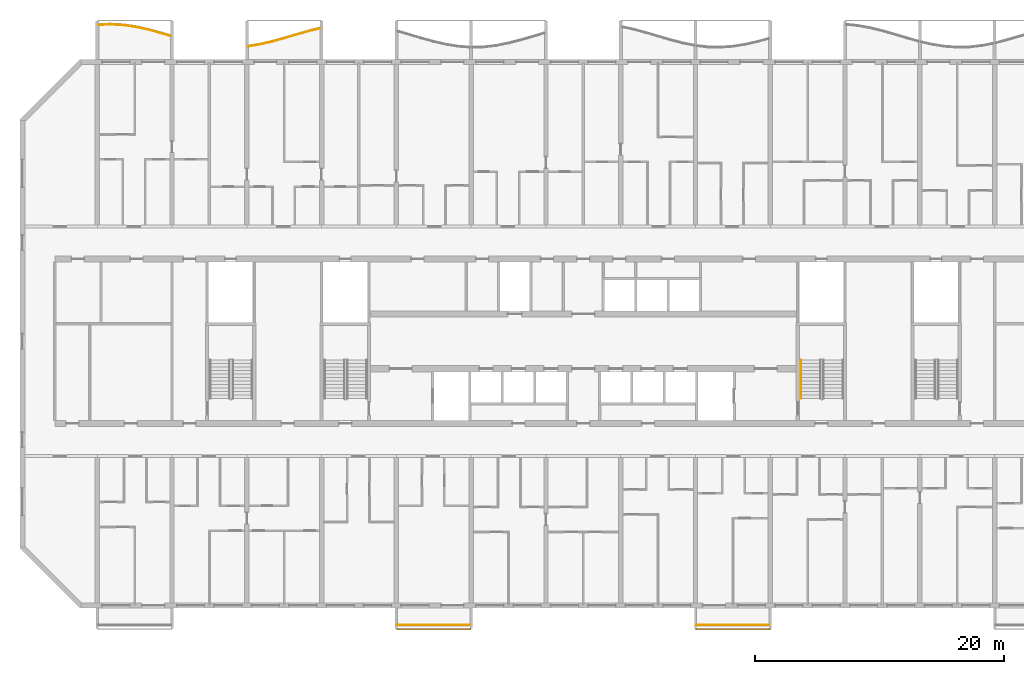
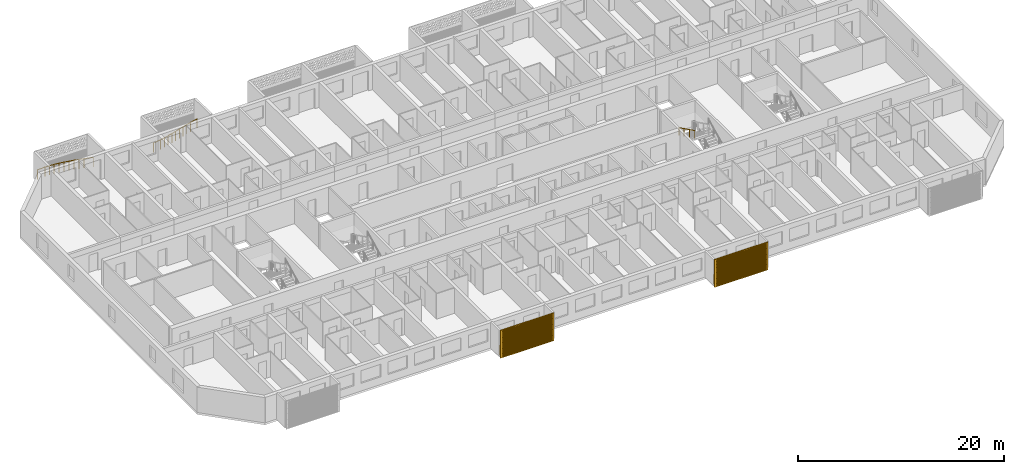
# One storey, part 17 of 24: 5 railings, 2 shading devices.
"""IFC4 building model written with IfcOpenShell, lengths in metres."""

from ifc_helpers import new_model, si_unit, direction, frame, origin, origin_2d, place, context, subcontext, project, spatial, polyline, circle, outline, extrude, source, transform, mapped, material, material_profile, profile_set, type_object, element, save


model = new_model("IFC4")

# Units and contexts
model_context = context("Model", 3, precision=1e-05, world=origin(), true_north=direction((0.0, 1.0)))
body_context = subcontext(model_context, "Body", "Model", "MODEL_VIEW")
ifc_project = project(units=[si_unit("LENGTHUNIT", "METRE"), si_unit("AREAUNIT", "SQUARE_METRE"), si_unit("VOLUMEUNIT", "CUBIC_METRE"), si_unit("PLANEANGLEUNIT", "RADIAN"), si_unit("MASSUNIT", "GRAM", prefix="KILO")], contexts=[model_context])

# Site, building, storey
site_placement = place(None, origin())
site = spatial("IfcSite", under=ifc_project, at=site_placement, CompositionType="ELEMENT")
building_placement = place(site_placement, origin())
building = spatial("IfcBuilding", under=site, at=building_placement, Name="Poui Terraces", CompositionType="ELEMENT")
storey_placement = place(building_placement, frame((0.0, 0.0, 102.60009765625)))
storey = spatial("IfcBuildingStorey", under=building, at=storey_placement, Name="L28", CompositionType="ELEMENT", Elevation=102.60009765625)

# Railings
ifc_material_1 = material(Name="Painted steel fretwork", Category="steel")
railing_type_1 = type_object("IfcRailingType", Name="BALCONY GUARD 1100", PredefinedType="GUARDRAIL", material=ifc_material_1)
railing_1_placement = place(storey_placement, frame((12.125, 46.58349609375, 0.0)))
element("IfcRailing", 1, at=railing_1_placement, inside=storey, type_object=railing_type_1, Name="BALCONY GUARD", PredefinedType="GUARDRAIL", context=body_context, shape_type="SweptSolid", body=[
    extrude(circle(Radius=0.02392578125, at=origin_2d()), frame((0.0, 0.0, 1.076171875), z_axis=(0.999125325571, 0.041816071104, 0.0), x_axis=(-0.041816071104, 0.999125325571, 0.0)), (0.0, 0.0, 1.0), 0.875732421875),
    extrude(circle(Radius=0.02392578125, at=origin_2d()), frame((0.875, 0.03662109375, 1.076171875), z_axis=(0.998868689387, -0.047553563093, 0.0), x_axis=(0.047553563093, 0.998868689387, 0.0)), (0.0, 0.0, 1.0), 1.001220703125),
    extrude(circle(Radius=0.02392578125, at=origin_2d()), frame((1.875, -0.010986328125, 1.076171875), z_axis=(0.990620000385, -0.136645581108, 0.0), x_axis=(0.136645581108, 0.990620000385, 0.0)), (0.0, 0.0, 1.0), 1.009521484375),
    extrude(circle(Radius=0.02392578125, at=origin_2d()), frame((2.875, -0.14892578125, 1.076171875), z_axis=(0.977837336556, -0.20936605082, 0.0), x_axis=(0.20936605082, 0.977837336556, 0.0)), (0.0, 0.0, 1.0), 1.022705078125),
    extrude(circle(Radius=0.02392578125, at=origin_2d()), frame((3.875, -0.363037109375, 1.076171875), z_axis=(0.965897516379, -0.258924676022, 0.0), x_axis=(0.258924676022, 0.965897516379, 0.0)), (0.0, 0.0, 1.0), 1.035400390625),
    extrude(circle(Radius=0.02392578125, at=origin_2d()), frame((4.875, -0.631103515625, 1.076171875), z_axis=(0.959374026053, -0.282137339135, 0.0), x_axis=(0.282137339135, 0.959374026053, 0.0)), (0.0, 0.0, 1.0), 0.912109375),
    extrude(circle(Radius=0.02099609375, at=origin_2d()), origin(), (0.0, 0.0, 1.0), 1.052001953125),
    extrude(circle(Radius=0.02099609375, at=origin_2d()), frame((0.875, 0.03662109375, 0.0)), (0.0, 0.0, 1.0), 1.052001953125),
    extrude(circle(Radius=0.02099609375, at=origin_2d()), frame((1.375, 0.0126953125, 0.0)), (0.0, 0.0, 1.0), 1.052001953125),
    extrude(circle(Radius=0.02099609375, at=origin_2d()), frame((1.875, -0.010986328125, 0.0)), (0.0, 0.0, 1.0), 1.052001953125),
    extrude(circle(Radius=0.02099609375, at=origin_2d()), frame((2.375, -0.080078125, 0.0)), (0.0, 0.0, 1.0), 1.052001953125),
    extrude(circle(Radius=0.02099609375, at=origin_2d()), frame((2.875, -0.14892578125, 0.0)), (0.0, 0.0, 1.0), 1.052001953125),
    extrude(circle(Radius=0.02099609375, at=origin_2d()), frame((3.375, -0.255859375, 0.0)), (0.0, 0.0, 1.0), 1.052001953125),
    extrude(circle(Radius=0.02099609375, at=origin_2d()), frame((3.875, -0.363037109375, 0.0)), (0.0, 0.0, 1.0), 1.052001953125),
    extrude(circle(Radius=0.02099609375, at=origin_2d()), frame((4.375, -0.4970703125, 0.0)), (0.0, 0.0, 1.0), 1.052001953125),
    extrude(circle(Radius=0.02099609375, at=origin_2d()), frame((4.875, -0.631103515625, 0.0)), (0.0, 0.0, 1.0), 1.052001953125),
    extrude(circle(Radius=0.02099609375, at=origin_2d()), frame((5.75, -0.888427734375, 0.0)), (0.0, 0.0, 1.0), 1.052001953125),
])
railing_2_placement = place(storey_placement, frame((24.125, 44.859375, 0.0)))
element("IfcRailing", 2, at=railing_2_placement, inside=storey, type_object=railing_type_1, Name="BALCONY GUARD", PredefinedType="GUARDRAIL", context=body_context, shape_type="SweptSolid", body=[
    extrude(circle(Radius=0.02392578125, at=origin_2d()), frame((0.0, 0.0, 1.076171875), z_axis=(0.986851434927, 0.16162996437, 0.0), x_axis=(-0.16162996437, 0.986851434927, 0.0)), (0.0, 0.0, 1.0), 0.88671875),
    extrude(circle(Radius=0.02392578125, at=origin_2d()), frame((0.875, 0.143310546875, 1.076171875), z_axis=(0.974611291341, 0.223903619422, 0.0), x_axis=(-0.223903619422, 0.974611291341, 0.0)), (0.0, 0.0, 1.0), 1.026123046875),
    extrude(circle(Radius=0.02392578125, at=origin_2d()), frame((1.875, 0.373046875, 1.076171875), z_axis=(0.963565078544, 0.267473997633, 0.0), x_axis=(-0.267473997633, 0.963565078544, 0.0)), (0.0, 0.0, 1.0), 1.037841796875),
    extrude(circle(Radius=0.02392578125, at=origin_2d()), frame((2.875, 0.650634765625, 1.076171875), z_axis=(0.958774495191, 0.284168026651, 0.0), x_axis=(-0.284168026651, 0.958774495191, 0.0)), (0.0, 0.0, 1.0), 1.04296875),
    extrude(circle(Radius=0.02392578125, at=origin_2d()), frame((3.875, 0.947021484375, 1.076171875), z_axis=(0.961665574586, 0.274224949003, 0.0), x_axis=(-0.274224949003, 0.961665574586, 0.0)), (0.0, 0.0, 1.0), 1.039794921875),
    extrude(circle(Radius=0.02392578125, at=origin_2d()), frame((4.875, 1.232177734375, 1.076171875), z_axis=(0.970650152273, 0.240495908264, 0.0), x_axis=(-0.240495908264, 0.970650152273, 0.0)), (0.0, 0.0, 1.0), 0.9013671875),
    extrude(circle(Radius=0.02099609375, at=origin_2d()), origin(), (0.0, 0.0, 1.0), 1.052001953125),
    extrude(circle(Radius=0.02099609375, at=origin_2d()), frame((0.875, 0.143310546875, 0.0)), (0.0, 0.0, 1.0), 1.052001953125),
    extrude(circle(Radius=0.02099609375, at=origin_2d()), frame((1.375, 0.25830078125, 0.0)), (0.0, 0.0, 1.0), 1.052001953125),
    extrude(circle(Radius=0.02099609375, at=origin_2d()), frame((1.875, 0.373046875, 0.0)), (0.0, 0.0, 1.0), 1.052001953125),
    extrude(circle(Radius=0.02099609375, at=origin_2d()), frame((2.375, 0.51171875, 0.0)), (0.0, 0.0, 1.0), 1.052001953125),
    extrude(circle(Radius=0.02099609375, at=origin_2d()), frame((2.875, 0.650634765625, 0.0)), (0.0, 0.0, 1.0), 1.052001953125),
    extrude(circle(Radius=0.02099609375, at=origin_2d()), frame((3.375, 0.798828125, 0.0)), (0.0, 0.0, 1.0), 1.052001953125),
    extrude(circle(Radius=0.02099609375, at=origin_2d()), frame((3.875, 0.947021484375, 0.0)), (0.0, 0.0, 1.0), 1.052001953125),
    extrude(circle(Radius=0.02099609375, at=origin_2d()), frame((4.375, 1.089599609375, 0.0)), (0.0, 0.0, 1.0), 1.052001953125),
    extrude(circle(Radius=0.02099609375, at=origin_2d()), frame((4.875, 1.232177734375, 0.0)), (0.0, 0.0, 1.0), 1.052001953125),
    extrude(circle(Radius=0.02099609375, at=origin_2d()), frame((5.75, 1.448974609375, 0.0)), (0.0, 0.0, 1.0), 1.052001953125),
])
for number, where, name in (
    (3, (36.10009765625, -1.570068359375, 0.0), "BALCONY GUARD"),
    (4, (60.10009765625, -1.570068359375, 0.0), "BALCONY GUARD"),
):
    element("IfcRailing", number, at=place(storey_placement, frame(where)), inside=storey, type_object=railing_type_1, Name=name, PredefinedType="GUARDRAIL", context=body_context, shape_type="SweptSolid", body=[
        extrude(circle(Radius=0.02392578125, at=origin_2d()), frame((0.0, 0.0, 1.076171875), z_axis=(1.0, 0.0, 0.0), x_axis=(0.0, 1.0, 0.0)), (0.0, 0.0, 1.0), 5.7998046875),
        extrude(circle(Radius=0.02099609375, at=origin_2d()), origin(), (0.0, 0.0, 1.0), 1.052001953125),
        extrude(circle(Radius=0.02099609375, at=origin_2d()), frame((0.966552734375, 0.0, 0.0)), (0.0, 0.0, 1.0), 1.052001953125),
        extrude(circle(Radius=0.02099609375, at=origin_2d()), frame((1.933349609375, 0.0, 0.0)), (0.0, 0.0, 1.0), 1.052001953125),
        extrude(circle(Radius=0.02099609375, at=origin_2d()), frame((2.89990234375, 0.0, 0.0)), (0.0, 0.0, 1.0), 1.052001953125),
        extrude(circle(Radius=0.02099609375, at=origin_2d()), frame((3.866455078125, 0.0, 0.0)), (0.0, 0.0, 1.0), 1.052001953125),
        extrude(circle(Radius=0.02099609375, at=origin_2d()), frame((4.833251953125, 0.0, 0.0)), (0.0, 0.0, 1.0), 1.052001953125),
        extrude(circle(Radius=0.02099609375, at=origin_2d()), frame((5.7998046875, 0.0, 0.0)), (0.0, 0.0, 1.0), 1.052001953125),
    ])
ifc_material_2 = material(Name="Stainless steel handrail", Category="steel")
railing_type_2 = type_object("IfcRailingType", Name="STAIR HANDRAIL 900", PredefinedType="HANDRAIL", material=ifc_material_2)
railing_3_placement = place(storey_placement, frame((68.47509765625, 19.679931640625, 1.787353515625)))
element("IfcRailing", 5, at=railing_3_placement, inside=storey, type_object=railing_type_2, Name="L28 ST-CE stair handrail 2", PredefinedType="HANDRAIL", context=body_context, shape_type="SweptSolid", body=[
    extrude(circle(Radius=0.02392578125, at=origin_2d()), frame((0.0, 0.0, 0.8759765625), z_axis=(0.0, -0.897606190399, 0.440798283751), x_axis=(1.0, 0.0, 0.0)), (0.0, 0.0, 1.0), 3.43115234375),
    extrude(circle(Radius=0.02099609375, at=origin_2d()), origin(), (0.0, 0.0, 1.0), 0.851806640625),
    extrude(circle(Radius=0.02099609375, at=origin_2d()), frame((0.0, -1.026611328125, 0.504150390625)), (0.0, 0.0, 1.0), 0.851806640625),
    extrude(circle(Radius=0.02099609375, at=origin_2d()), frame((0.0, -2.05322265625, 1.00830078125)), (0.0, 0.0, 1.0), 0.851806640625),
    extrude(circle(Radius=0.02099609375, at=origin_2d()), frame((0.0, -3.079833984375, 1.512451171875)), (0.0, 0.0, 1.0), 0.851806640625),
])

# Shading devices
ifc_material_3 = material(Name="Aluminium louvre", Category="aluminium")
ifc_material_profile = material_profile(ifc_material_3, outline(polyline([(-3.0, -1.64990234375), (3.0, -1.64990234375), (3.0, 1.64990234375), (-3.0, 1.64990234375), (-3.0, -1.64990234375)]), holes=[polyline([(-2.800048828125, -1.530029296875), (2.800048828125, -1.530029296875), (2.800048828125, -1.469970703125), (-2.800048828125, -1.469970703125), (-2.800048828125, -1.530029296875)]), polyline([(-2.800048828125, -1.429931640625), (2.800048828125, -1.429931640625), (2.800048828125, -1.3701171875), (-2.800048828125, -1.3701171875), (-2.800048828125, -1.429931640625)]), polyline([(-2.800048828125, -1.330078125), (2.800048828125, -1.330078125), (2.800048828125, -1.27001953125), (-2.800048828125, -1.27001953125), (-2.800048828125, -1.330078125)]), polyline([(-2.800048828125, -1.22998046875), (2.800048828125, -1.22998046875), (2.800048828125, -1.169921875), (-2.800048828125, -1.169921875), (-2.800048828125, -1.22998046875)]), polyline([(-2.800048828125, -1.1298828125), (2.800048828125, -1.1298828125), (2.800048828125, -1.070068359375), (-2.800048828125, -1.070068359375), (-2.800048828125, -1.1298828125)]), polyline([(-2.800048828125, -1.030029296875), (2.800048828125, -1.030029296875), (2.800048828125, -0.969970703125), (-2.800048828125, -0.969970703125), (-2.800048828125, -1.030029296875)]), polyline([(-2.800048828125, -0.929931640625), (2.800048828125, -0.929931640625), (2.800048828125, -0.8701171875), (-2.800048828125, -0.8701171875), (-2.800048828125, -0.929931640625)]), polyline([(-2.800048828125, -0.830078125), (2.800048828125, -0.830078125), (2.800048828125, -0.77001953125), (-2.800048828125, -0.77001953125), (-2.800048828125, -0.830078125)]), polyline([(-2.800048828125, -0.72998046875), (2.800048828125, -0.72998046875), (2.800048828125, -0.669921875), (-2.800048828125, -0.669921875), (-2.800048828125, -0.72998046875)]), polyline([(-2.800048828125, -0.6298828125), (2.800048828125, -0.6298828125), (2.800048828125, -0.570068359375), (-2.800048828125, -0.570068359375), (-2.800048828125, -0.6298828125)]), polyline([(-2.800048828125, -0.530029296875), (2.800048828125, -0.530029296875), (2.800048828125, -0.469970703125), (-2.800048828125, -0.469970703125), (-2.800048828125, -0.530029296875)]), polyline([(-2.800048828125, -0.429931640625), (2.800048828125, -0.429931640625), (2.800048828125, -0.3701171875), (-2.800048828125, -0.3701171875), (-2.800048828125, -0.429931640625)]), polyline([(-2.800048828125, -0.330078125), (2.800048828125, -0.330078125), (2.800048828125, -0.27001953125), (-2.800048828125, -0.27001953125), (-2.800048828125, -0.330078125)]), polyline([(-2.800048828125, -0.22998046875), (2.800048828125, -0.22998046875), (2.800048828125, -0.169921875), (-2.800048828125, -0.169921875), (-2.800048828125, -0.22998046875)]), polyline([(-2.800048828125, -0.1298828125), (2.800048828125, -0.1298828125), (2.800048828125, -0.070068359375), (-2.800048828125, -0.070068359375), (-2.800048828125, -0.1298828125)]), polyline([(-2.800048828125, -0.030029296875), (2.800048828125, -0.030029296875), (2.800048828125, 0.030029296875), (-2.800048828125, 0.030029296875), (-2.800048828125, -0.030029296875)]), polyline([(-2.800048828125, 0.070068359375), (2.800048828125, 0.070068359375), (2.800048828125, 0.1298828125), (-2.800048828125, 0.1298828125), (-2.800048828125, 0.070068359375)]), polyline([(-2.800048828125, 0.169921875), (2.800048828125, 0.169921875), (2.800048828125, 0.22998046875), (-2.800048828125, 0.22998046875), (-2.800048828125, 0.169921875)]), polyline([(-2.800048828125, 0.27001953125), (2.800048828125, 0.27001953125), (2.800048828125, 0.330078125), (-2.800048828125, 0.330078125), (-2.800048828125, 0.27001953125)]), polyline([(-2.800048828125, 0.3701171875), (2.800048828125, 0.3701171875), (2.800048828125, 0.429931640625), (-2.800048828125, 0.429931640625), (-2.800048828125, 0.3701171875)]), polyline([(-2.800048828125, 0.469970703125), (2.800048828125, 0.469970703125), (2.800048828125, 0.530029296875), (-2.800048828125, 0.530029296875), (-2.800048828125, 0.469970703125)]), polyline([(-2.800048828125, 0.570068359375), (2.800048828125, 0.570068359375), (2.800048828125, 0.6298828125), (-2.800048828125, 0.6298828125), (-2.800048828125, 0.570068359375)]), polyline([(-2.800048828125, 0.669921875), (2.800048828125, 0.669921875), (2.800048828125, 0.72998046875), (-2.800048828125, 0.72998046875), (-2.800048828125, 0.669921875)]), polyline([(-2.800048828125, 0.77001953125), (2.800048828125, 0.77001953125), (2.800048828125, 0.830078125), (-2.800048828125, 0.830078125), (-2.800048828125, 0.77001953125)]), polyline([(-2.800048828125, 0.8701171875), (2.800048828125, 0.8701171875), (2.800048828125, 0.929931640625), (-2.800048828125, 0.929931640625), (-2.800048828125, 0.8701171875)]), polyline([(-2.800048828125, 0.969970703125), (2.800048828125, 0.969970703125), (2.800048828125, 1.030029296875), (-2.800048828125, 1.030029296875), (-2.800048828125, 0.969970703125)]), polyline([(-2.800048828125, 1.070068359375), (2.800048828125, 1.070068359375), (2.800048828125, 1.1298828125), (-2.800048828125, 1.1298828125), (-2.800048828125, 1.070068359375)]), polyline([(-2.800048828125, 1.169921875), (2.800048828125, 1.169921875), (2.800048828125, 1.22998046875), (-2.800048828125, 1.22998046875), (-2.800048828125, 1.169921875)]), polyline([(-2.800048828125, 1.27001953125), (2.800048828125, 1.27001953125), (2.800048828125, 1.330078125), (-2.800048828125, 1.330078125), (-2.800048828125, 1.27001953125)]), polyline([(-2.800048828125, 1.3701171875), (2.800048828125, 1.3701171875), (2.800048828125, 1.429931640625), (-2.800048828125, 1.429931640625), (-2.800048828125, 1.3701171875)]), polyline([(-2.800048828125, 1.469970703125), (2.800048828125, 1.469970703125), (2.800048828125, 1.530029296875), (-2.800048828125, 1.530029296875), (-2.800048828125, 1.469970703125)])]), Name="JALOUSIE LOUVRE SHUTTER 6000X3300")
ifc_profile_set = profile_set([ifc_material_profile], Name="Aluminium louvre")
shading_device_type = type_object("IfcShadingDeviceType", Name="JALOUSIE LOUVRE SHUTTER 6000X3300", PredefinedType="JALOUSIE", material=ifc_profile_set)
shared_shape = source(origin(), body_context, "Body", "SweptSolid", [
    extrude(outline(polyline([(-3.0, -1.64990234375), (3.0, -1.64990234375), (3.0, 1.64990234375), (-3.0, 1.64990234375), (-3.0, -1.64990234375)]), holes=[polyline([(-2.800048828125, -1.530029296875), (2.800048828125, -1.530029296875), (2.800048828125, -1.469970703125), (-2.800048828125, -1.469970703125), (-2.800048828125, -1.530029296875)]), polyline([(-2.800048828125, -1.429931640625), (2.800048828125, -1.429931640625), (2.800048828125, -1.3701171875), (-2.800048828125, -1.3701171875), (-2.800048828125, -1.429931640625)]), polyline([(-2.800048828125, -1.330078125), (2.800048828125, -1.330078125), (2.800048828125, -1.27001953125), (-2.800048828125, -1.27001953125), (-2.800048828125, -1.330078125)]), polyline([(-2.800048828125, -1.22998046875), (2.800048828125, -1.22998046875), (2.800048828125, -1.169921875), (-2.800048828125, -1.169921875), (-2.800048828125, -1.22998046875)]), polyline([(-2.800048828125, -1.1298828125), (2.800048828125, -1.1298828125), (2.800048828125, -1.070068359375), (-2.800048828125, -1.070068359375), (-2.800048828125, -1.1298828125)]), polyline([(-2.800048828125, -1.030029296875), (2.800048828125, -1.030029296875), (2.800048828125, -0.969970703125), (-2.800048828125, -0.969970703125), (-2.800048828125, -1.030029296875)]), polyline([(-2.800048828125, -0.929931640625), (2.800048828125, -0.929931640625), (2.800048828125, -0.8701171875), (-2.800048828125, -0.8701171875), (-2.800048828125, -0.929931640625)]), polyline([(-2.800048828125, -0.830078125), (2.800048828125, -0.830078125), (2.800048828125, -0.77001953125), (-2.800048828125, -0.77001953125), (-2.800048828125, -0.830078125)]), polyline([(-2.800048828125, -0.72998046875), (2.800048828125, -0.72998046875), (2.800048828125, -0.669921875), (-2.800048828125, -0.669921875), (-2.800048828125, -0.72998046875)]), polyline([(-2.800048828125, -0.6298828125), (2.800048828125, -0.6298828125), (2.800048828125, -0.570068359375), (-2.800048828125, -0.570068359375), (-2.800048828125, -0.6298828125)]), polyline([(-2.800048828125, -0.530029296875), (2.800048828125, -0.530029296875), (2.800048828125, -0.469970703125), (-2.800048828125, -0.469970703125), (-2.800048828125, -0.530029296875)]), polyline([(-2.800048828125, -0.429931640625), (2.800048828125, -0.429931640625), (2.800048828125, -0.3701171875), (-2.800048828125, -0.3701171875), (-2.800048828125, -0.429931640625)]), polyline([(-2.800048828125, -0.330078125), (2.800048828125, -0.330078125), (2.800048828125, -0.27001953125), (-2.800048828125, -0.27001953125), (-2.800048828125, -0.330078125)]), polyline([(-2.800048828125, -0.22998046875), (2.800048828125, -0.22998046875), (2.800048828125, -0.169921875), (-2.800048828125, -0.169921875), (-2.800048828125, -0.22998046875)]), polyline([(-2.800048828125, -0.1298828125), (2.800048828125, -0.1298828125), (2.800048828125, -0.070068359375), (-2.800048828125, -0.070068359375), (-2.800048828125, -0.1298828125)]), polyline([(-2.800048828125, -0.030029296875), (2.800048828125, -0.030029296875), (2.800048828125, 0.030029296875), (-2.800048828125, 0.030029296875), (-2.800048828125, -0.030029296875)]), polyline([(-2.800048828125, 0.070068359375), (2.800048828125, 0.070068359375), (2.800048828125, 0.1298828125), (-2.800048828125, 0.1298828125), (-2.800048828125, 0.070068359375)]), polyline([(-2.800048828125, 0.169921875), (2.800048828125, 0.169921875), (2.800048828125, 0.22998046875), (-2.800048828125, 0.22998046875), (-2.800048828125, 0.169921875)]), polyline([(-2.800048828125, 0.27001953125), (2.800048828125, 0.27001953125), (2.800048828125, 0.330078125), (-2.800048828125, 0.330078125), (-2.800048828125, 0.27001953125)]), polyline([(-2.800048828125, 0.3701171875), (2.800048828125, 0.3701171875), (2.800048828125, 0.429931640625), (-2.800048828125, 0.429931640625), (-2.800048828125, 0.3701171875)]), polyline([(-2.800048828125, 0.469970703125), (2.800048828125, 0.469970703125), (2.800048828125, 0.530029296875), (-2.800048828125, 0.530029296875), (-2.800048828125, 0.469970703125)]), polyline([(-2.800048828125, 0.570068359375), (2.800048828125, 0.570068359375), (2.800048828125, 0.6298828125), (-2.800048828125, 0.6298828125), (-2.800048828125, 0.570068359375)]), polyline([(-2.800048828125, 0.669921875), (2.800048828125, 0.669921875), (2.800048828125, 0.72998046875), (-2.800048828125, 0.72998046875), (-2.800048828125, 0.669921875)]), polyline([(-2.800048828125, 0.77001953125), (2.800048828125, 0.77001953125), (2.800048828125, 0.830078125), (-2.800048828125, 0.830078125), (-2.800048828125, 0.77001953125)]), polyline([(-2.800048828125, 0.8701171875), (2.800048828125, 0.8701171875), (2.800048828125, 0.929931640625), (-2.800048828125, 0.929931640625), (-2.800048828125, 0.8701171875)]), polyline([(-2.800048828125, 0.969970703125), (2.800048828125, 0.969970703125), (2.800048828125, 1.030029296875), (-2.800048828125, 1.030029296875), (-2.800048828125, 0.969970703125)]), polyline([(-2.800048828125, 1.070068359375), (2.800048828125, 1.070068359375), (2.800048828125, 1.1298828125), (-2.800048828125, 1.1298828125), (-2.800048828125, 1.070068359375)]), polyline([(-2.800048828125, 1.169921875), (2.800048828125, 1.169921875), (2.800048828125, 1.22998046875), (-2.800048828125, 1.22998046875), (-2.800048828125, 1.169921875)]), polyline([(-2.800048828125, 1.27001953125), (2.800048828125, 1.27001953125), (2.800048828125, 1.330078125), (-2.800048828125, 1.330078125), (-2.800048828125, 1.27001953125)]), polyline([(-2.800048828125, 1.3701171875), (2.800048828125, 1.3701171875), (2.800048828125, 1.429931640625), (-2.800048828125, 1.429931640625), (-2.800048828125, 1.3701171875)]), polyline([(-2.800048828125, 1.469970703125), (2.800048828125, 1.469970703125), (2.800048828125, 1.530029296875), (-2.800048828125, 1.530029296875), (-2.800048828125, 1.469970703125)])]), origin(), (0.0, 0.0, 1.0), 0.099853515625),
])
for number, where, z_axis, x_axis, name in (
    (6, (39.0, -1.85009765625, 1.449951171875), (0.0, -1.0, 0.0), (1.0, 0.0, 0.0), "JALOUSIE LOUVRE SHUTTER"),
    (7, (63.0, -1.85009765625, 1.449951171875), (0.0, -1.0, 0.0), (1.0, 0.0, 0.0), "JALOUSIE LOUVRE SHUTTER"),
):
    element("IfcShadingDevice", number, at=place(storey_placement, frame(where, z_axis=z_axis, x_axis=x_axis)), inside=storey, type_object=shading_device_type, Name=name, PredefinedType="JALOUSIE", context=body_context, shape_type="MappedRepresentation", body=[
        mapped(shared_shape, transform((0.0, 0.0, 0.0))),
    ])

save(model, "model.ifc")
